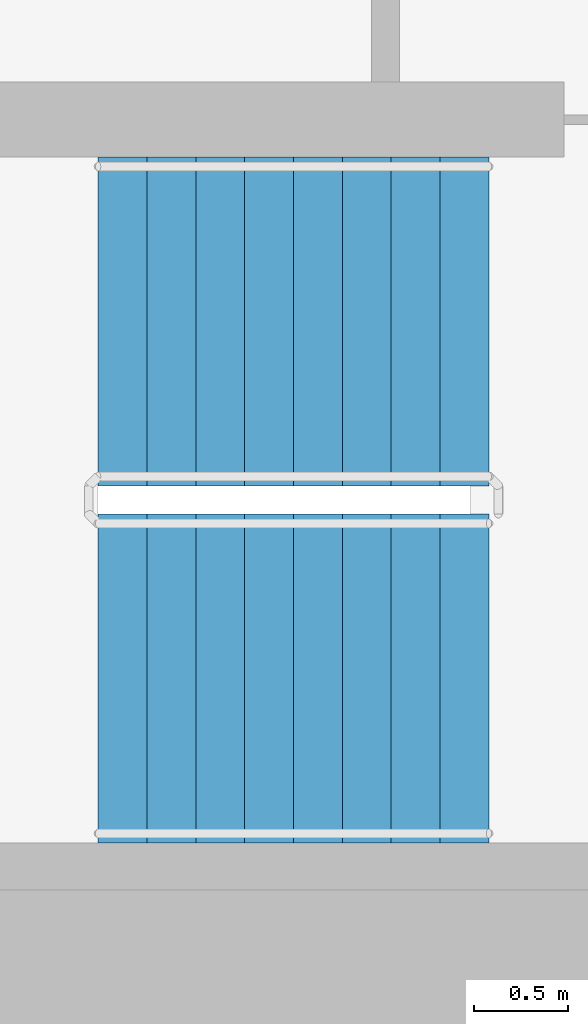
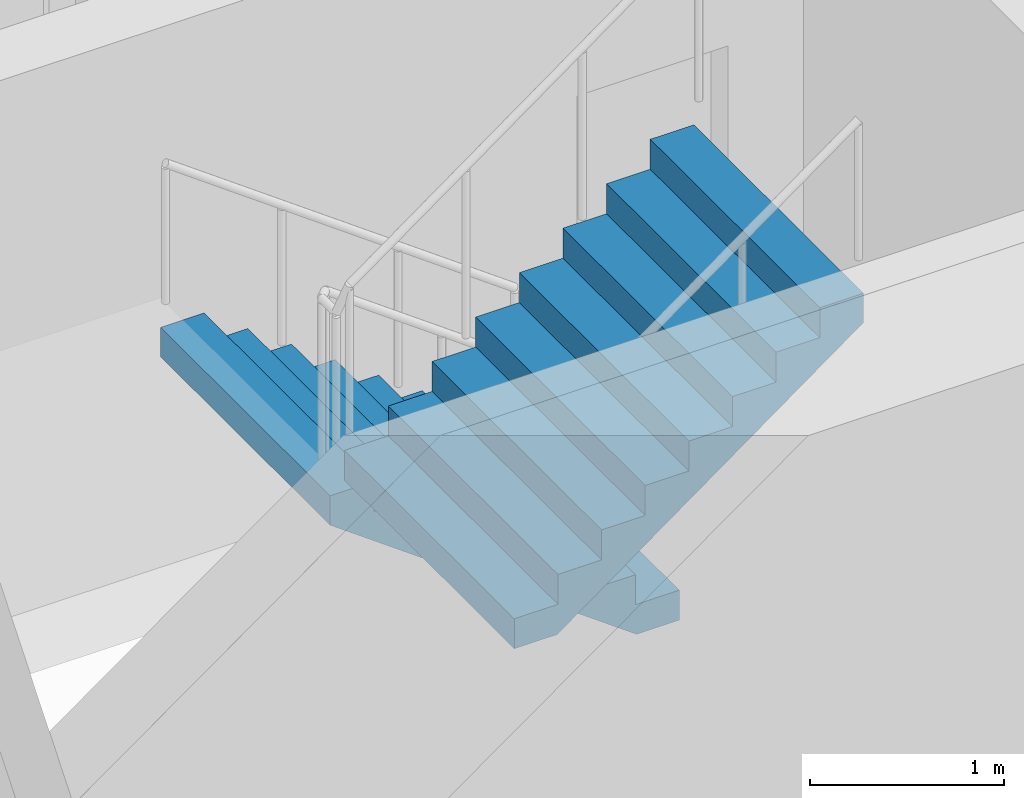
# One storey, part 15 of 21: 2 stair flights, 1 element without a shape of its own.
"""IFC4 building model written with IfcOpenShell, lengths in metres."""

from ifc_helpers import new_model, si_unit, direction, frame, origin, place, context, subcontext, project, spatial, faceted_brep, material, type_object, element, aggregate, save


model = new_model("IFC4")

# Units and contexts
model_context = context("Model", 3, precision=1e-05, world=origin(), true_north=direction((0.0, 1.0)))
body_context = subcontext(model_context, "Body", "Model", "MODEL_VIEW")
ifc_project = project(units=[si_unit("LENGTHUNIT", "METRE"), si_unit("AREAUNIT", "SQUARE_METRE"), si_unit("VOLUMEUNIT", "CUBIC_METRE"), si_unit("PLANEANGLEUNIT", "RADIAN"), si_unit("MASSUNIT", "GRAM", prefix="KILO")], contexts=[model_context])

# Site, building, storey
site_placement = place(None, origin())
site = spatial("IfcSite", under=ifc_project, at=site_placement, CompositionType="ELEMENT")
building_placement = place(site_placement, origin())
building = spatial("IfcBuilding", under=site, at=building_placement, Name="Ipe Terrace Towers", CompositionType="ELEMENT")
storey_placement = place(building_placement, frame((0.0, 0.0, 103.800048828125)))
storey = spatial("IfcBuildingStorey", under=building, at=storey_placement, Name="L28", CompositionType="ELEMENT", Elevation=103.800048828125)

# Stair, stair flights
ifc_material_1 = material(Name="Concrete C30/37", Category="concrete")
stair_type = type_object("IfcStairType", Name="Protected exit stair", PredefinedType="HALF_TURN_STAIR", material=ifc_material_1)
stair_placement = place(storey_placement, origin())
stair = element("IfcStair", 1, at=stair_placement, inside=storey, type_object=stair_type, Name="L28 Exit stair T1-C2", PredefinedType="HALF_TURN_STAIR")
ifc_material_2 = material(Name="Concrete C30/37", Category="concrete")
stair_flight_type = type_object("IfcStairFlightType", Name="Exit stair flight 1750", PredefinedType="STRAIGHT", material=ifc_material_2)
stair_flight_1_placement = place(storey_placement, frame((-45.699951171875, -2.77490234375, 0.0), z_axis=(0.0, 0.0, 1.0), x_axis=(-1.0, 0.0, 0.0)))
stair_flight_1 = element("IfcStairFlight", 2, at=stair_flight_1_placement, type_object=stair_flight_type, Name="T1-ST2 flight 1", NumberOfRisers=9, NumberOfTreads=8, PredefinedType="STRAIGHT", RiserHeight=0.188888889, TreadLength=0.26, context=body_context, shape_type="Brep", body=[
    faceted_brep([(0.255126953125, -0.875, 0.0), (2.080078125, -0.875, 1.325927734375), (2.080078125, -0.875, 1.51123046875), (1.820068359375, -0.875, 1.51123046875), (1.820068359375, -0.875, 1.322265625), (1.56005859375, -0.875, 1.322265625), (1.56005859375, -0.875, 1.13330078125), (1.300048828125, -0.875, 1.13330078125), (1.300048828125, -0.875, 0.9443359375), (1.0400390625, -0.875, 0.9443359375), (1.0400390625, -0.875, 0.755615234375), (0.780029296875, -0.875, 0.755615234375), (0.780029296875, -0.875, 0.566650390625), (0.52001953125, -0.875, 0.566650390625), (0.52001953125, -0.875, 0.377685546875), (0.260009765625, -0.875, 0.377685546875), (0.260009765625, -0.875, 0.18896484375), (0.0, -0.875, 0.18896484375), (0.0, -0.875, 0.0), (0.0, 0.875, 0.0), (0.0, 0.875, 0.18896484375), (0.260009765625, 0.875, 0.18896484375), (0.260009765625, 0.875, 0.377685546875), (0.52001953125, 0.875, 0.377685546875), (0.52001953125, 0.875, 0.566650390625), (0.780029296875, 0.875, 0.566650390625), (0.780029296875, 0.875, 0.755615234375), (1.0400390625, 0.875, 0.755615234375), (1.0400390625, 0.875, 0.9443359375), (1.300048828125, 0.875, 0.9443359375), (1.300048828125, 0.875, 1.13330078125), (1.56005859375, 0.875, 1.13330078125), (1.56005859375, 0.875, 1.322265625), (1.820068359375, 0.875, 1.322265625), (1.820068359375, 0.875, 1.51123046875), (2.080078125, 0.875, 1.51123046875), (2.080078125, 0.875, 1.325927734375), (0.255126953125, 0.875, 0.0), (0.0, -0.300048828125, 0.18896484375), (0.0, -0.1201171875, 0.18896484375), (0.0, -0.06005859375, 0.18896484375), (0.0, -0.030029296875, 0.18896484375), (0.0, -0.010009765625, 0.18896484375), (0.0, 0.0, 0.18896484375), (0.0, 0.010009765625, 0.18896484375), (0.0, 0.030029296875, 0.18896484375), (0.0, 0.06005859375, 0.18896484375), (0.0, 0.1201171875, 0.18896484375), (0.0, 0.300048828125, 0.18896484375), (0.0, 0.300048828125, 0.0), (0.0, 0.1201171875, 0.0), (0.0, 0.06005859375, 0.0), (0.0, 0.030029296875, 0.0), (0.0, 0.010009765625, 0.0), (0.0, 0.0, 0.0), (0.0, -0.010009765625, 0.0), (0.0, -0.030029296875, 0.0), (0.0, -0.06005859375, 0.0), (0.0, -0.1201171875, 0.0), (0.0, -0.300048828125, 0.0), (0.260009765625, -0.300048828125, 0.18896484375), (0.260009765625, -0.1201171875, 0.18896484375), (0.260009765625, -0.06005859375, 0.18896484375), (0.260009765625, -0.030029296875, 0.18896484375), (0.260009765625, -0.010009765625, 0.18896484375), (0.260009765625, 0.0, 0.18896484375), (0.260009765625, 0.010009765625, 0.18896484375), (0.260009765625, 0.030029296875, 0.18896484375), (0.260009765625, 0.06005859375, 0.18896484375), (0.260009765625, 0.1201171875, 0.18896484375), (0.260009765625, 0.300048828125, 0.18896484375), (0.260009765625, -0.300048828125, 0.377685546875), (0.260009765625, -0.1201171875, 0.377685546875), (0.260009765625, -0.06005859375, 0.377685546875), (0.260009765625, -0.030029296875, 0.377685546875), (0.260009765625, -0.010009765625, 0.377685546875), (0.260009765625, 0.0, 0.377685546875), (0.260009765625, 0.010009765625, 0.377685546875), (0.260009765625, 0.030029296875, 0.377685546875), (0.260009765625, 0.06005859375, 0.377685546875), (0.260009765625, 0.1201171875, 0.377685546875), (0.260009765625, 0.300048828125, 0.377685546875), (0.52001953125, -0.300048828125, 0.377685546875), (0.52001953125, -0.1201171875, 0.377685546875), (0.52001953125, -0.06005859375, 0.377685546875), (0.52001953125, -0.030029296875, 0.377685546875), (0.52001953125, -0.010009765625, 0.377685546875), (0.52001953125, 0.0, 0.377685546875), (0.52001953125, 0.010009765625, 0.377685546875), (0.52001953125, 0.030029296875, 0.377685546875), (0.52001953125, 0.06005859375, 0.377685546875), (0.52001953125, 0.1201171875, 0.377685546875), (0.52001953125, 0.300048828125, 0.377685546875), (0.52001953125, -0.300048828125, 0.566650390625), (0.52001953125, -0.1201171875, 0.566650390625), (0.52001953125, -0.06005859375, 0.566650390625), (0.52001953125, -0.030029296875, 0.566650390625), (0.52001953125, -0.010009765625, 0.566650390625), (0.52001953125, 0.0, 0.566650390625), (0.52001953125, 0.010009765625, 0.566650390625), (0.52001953125, 0.030029296875, 0.566650390625), (0.52001953125, 0.06005859375, 0.566650390625), (0.52001953125, 0.1201171875, 0.566650390625), (0.52001953125, 0.300048828125, 0.566650390625), (0.780029296875, -0.300048828125, 0.566650390625), (0.780029296875, -0.1201171875, 0.566650390625), (0.780029296875, -0.06005859375, 0.566650390625), (0.780029296875, -0.030029296875, 0.566650390625), (0.780029296875, -0.010009765625, 0.566650390625), (0.780029296875, 0.0, 0.566650390625), (0.780029296875, 0.010009765625, 0.566650390625), (0.780029296875, 0.030029296875, 0.566650390625), (0.780029296875, 0.06005859375, 0.566650390625), (0.780029296875, 0.1201171875, 0.566650390625), (0.780029296875, 0.300048828125, 0.566650390625), (0.780029296875, -0.300048828125, 0.755615234375), (0.780029296875, -0.1201171875, 0.755615234375), (0.780029296875, -0.06005859375, 0.755615234375), (0.780029296875, -0.030029296875, 0.755615234375), (0.780029296875, -0.010009765625, 0.755615234375), (0.780029296875, 0.0, 0.755615234375), (0.780029296875, 0.010009765625, 0.755615234375), (0.780029296875, 0.030029296875, 0.755615234375), (0.780029296875, 0.06005859375, 0.755615234375), (0.780029296875, 0.1201171875, 0.755615234375), (0.780029296875, 0.300048828125, 0.755615234375), (1.0400390625, -0.300048828125, 0.755615234375), (1.0400390625, -0.1201171875, 0.755615234375), (1.0400390625, -0.06005859375, 0.755615234375), (1.0400390625, -0.030029296875, 0.755615234375), (1.0400390625, -0.010009765625, 0.755615234375), (1.0400390625, 0.0, 0.755615234375), (1.0400390625, 0.010009765625, 0.755615234375), (1.0400390625, 0.030029296875, 0.755615234375), (1.0400390625, 0.06005859375, 0.755615234375), (1.0400390625, 0.1201171875, 0.755615234375), (1.0400390625, 0.300048828125, 0.755615234375), (1.0400390625, -0.300048828125, 0.9443359375), (1.0400390625, -0.1201171875, 0.9443359375), (1.0400390625, -0.06005859375, 0.9443359375), (1.0400390625, -0.030029296875, 0.9443359375), (1.0400390625, -0.010009765625, 0.9443359375), (1.0400390625, 0.0, 0.9443359375), (1.0400390625, 0.010009765625, 0.9443359375), (1.0400390625, 0.030029296875, 0.9443359375), (1.0400390625, 0.06005859375, 0.9443359375), (1.0400390625, 0.1201171875, 0.9443359375), (1.0400390625, 0.300048828125, 0.9443359375), (1.300048828125, -0.300048828125, 0.9443359375), (1.300048828125, -0.1201171875, 0.9443359375), (1.300048828125, -0.06005859375, 0.9443359375), (1.300048828125, -0.030029296875, 0.9443359375), (1.300048828125, -0.010009765625, 0.9443359375), (1.300048828125, 0.0, 0.9443359375), (1.300048828125, 0.010009765625, 0.9443359375), (1.300048828125, 0.030029296875, 0.9443359375), (1.300048828125, 0.06005859375, 0.9443359375), (1.300048828125, 0.1201171875, 0.9443359375), (1.300048828125, 0.300048828125, 0.9443359375), (1.300048828125, -0.300048828125, 1.13330078125), (1.300048828125, -0.1201171875, 1.13330078125), (1.300048828125, -0.06005859375, 1.13330078125), (1.300048828125, -0.030029296875, 1.13330078125), (1.300048828125, -0.010009765625, 1.13330078125), (1.300048828125, 0.0, 1.13330078125), (1.300048828125, 0.010009765625, 1.13330078125), (1.300048828125, 0.030029296875, 1.13330078125), (1.300048828125, 0.06005859375, 1.13330078125), (1.300048828125, 0.1201171875, 1.13330078125), (1.300048828125, 0.300048828125, 1.13330078125), (1.56005859375, -0.300048828125, 1.13330078125), (1.56005859375, -0.1201171875, 1.13330078125), (1.56005859375, -0.06005859375, 1.13330078125), (1.56005859375, -0.030029296875, 1.13330078125), (1.56005859375, -0.010009765625, 1.13330078125), (1.56005859375, 0.0, 1.13330078125), (1.56005859375, 0.010009765625, 1.13330078125), (1.56005859375, 0.030029296875, 1.13330078125), (1.56005859375, 0.06005859375, 1.13330078125), (1.56005859375, 0.1201171875, 1.13330078125), (1.56005859375, 0.300048828125, 1.13330078125), (1.56005859375, -0.300048828125, 1.322265625), (1.56005859375, -0.1201171875, 1.322265625), (1.56005859375, -0.06005859375, 1.322265625), (1.56005859375, -0.030029296875, 1.322265625), (1.56005859375, -0.010009765625, 1.322265625), (1.56005859375, 0.0, 1.322265625), (1.56005859375, 0.010009765625, 1.322265625), (1.56005859375, 0.030029296875, 1.322265625), (1.56005859375, 0.06005859375, 1.322265625), (1.56005859375, 0.1201171875, 1.322265625), (1.56005859375, 0.300048828125, 1.322265625), (1.820068359375, -0.300048828125, 1.322265625), (1.820068359375, -0.1201171875, 1.322265625), (1.820068359375, -0.06005859375, 1.322265625), (1.820068359375, -0.030029296875, 1.322265625), (1.820068359375, -0.010009765625, 1.322265625), (1.820068359375, 0.0, 1.322265625), (1.820068359375, 0.010009765625, 1.322265625), (1.820068359375, 0.030029296875, 1.322265625), (1.820068359375, 0.06005859375, 1.322265625), (1.820068359375, 0.1201171875, 1.322265625), (1.820068359375, 0.300048828125, 1.322265625), (1.820068359375, -0.300048828125, 1.51123046875), (1.820068359375, -0.1201171875, 1.51123046875), (1.820068359375, -0.06005859375, 1.51123046875), (1.820068359375, -0.030029296875, 1.51123046875), (1.820068359375, -0.010009765625, 1.51123046875), (1.820068359375, 0.0, 1.51123046875), (1.820068359375, 0.010009765625, 1.51123046875), (1.820068359375, 0.030029296875, 1.51123046875), (1.820068359375, 0.06005859375, 1.51123046875), (1.820068359375, 0.1201171875, 1.51123046875), (1.820068359375, 0.300048828125, 1.51123046875), (2.080078125, -0.300048828125, 1.51123046875), (2.080078125, -0.1201171875, 1.51123046875), (2.080078125, -0.06005859375, 1.51123046875), (2.080078125, -0.030029296875, 1.51123046875), (2.080078125, -0.010009765625, 1.51123046875), (2.080078125, 0.0, 1.51123046875), (2.080078125, 0.010009765625, 1.51123046875), (2.080078125, 0.030029296875, 1.51123046875), (2.080078125, 0.06005859375, 1.51123046875), (2.080078125, 0.1201171875, 1.51123046875), (2.080078125, 0.300048828125, 1.51123046875), (2.080078125, -0.300048828125, 1.325927734375), (2.080078125, -0.1201171875, 1.325927734375), (2.080078125, -0.06005859375, 1.325927734375), (2.080078125, -0.030029296875, 1.325927734375), (2.080078125, -0.010009765625, 1.325927734375), (2.080078125, 0.0, 1.325927734375), (2.080078125, 0.010009765625, 1.325927734375), (2.080078125, 0.030029296875, 1.325927734375), (2.080078125, 0.06005859375, 1.325927734375), (2.080078125, 0.1201171875, 1.325927734375), (2.080078125, 0.300048828125, 1.325927734375), (0.255126953125, -0.300048828125, 0.0), (0.255126953125, -0.1201171875, 0.0), (0.255126953125, -0.06005859375, 0.0), (0.255126953125, -0.030029296875, 0.0), (0.255126953125, -0.010009765625, 0.0), (0.255126953125, 0.0, 0.0), (0.255126953125, 0.010009765625, 0.0), (0.255126953125, 0.030029296875, 0.0), (0.255126953125, 0.06005859375, 0.0), (0.255126953125, 0.1201171875, 0.0), (0.255126953125, 0.300048828125, 0.0)], [[[0, 1, 2, 3, 4, 5, 6, 7, 8, 9, 10, 11, 12, 13, 14, 15, 16, 17, 18]], [[19, 20, 21, 22, 23, 24, 25, 26, 27, 28, 29, 30, 31, 32, 33, 34, 35, 36, 37]], [[17, 38, 39, 40, 41, 42, 43, 44, 45, 46, 47, 48, 20, 19, 49, 50, 51, 52, 53, 54, 55, 56, 57, 58, 59, 18]], [[16, 60, 61, 62, 63, 64, 65, 66, 67, 68, 69, 70, 21, 20, 48, 47, 46, 45, 44, 43, 42, 41, 40, 39, 38, 17]], [[15, 71, 72, 73, 74, 75, 76, 77, 78, 79, 80, 81, 22, 21, 70, 69, 68, 67, 66, 65, 64, 63, 62, 61, 60, 16]], [[14, 82, 83, 84, 85, 86, 87, 88, 89, 90, 91, 92, 23, 22, 81, 80, 79, 78, 77, 76, 75, 74, 73, 72, 71, 15]], [[13, 93, 94, 95, 96, 97, 98, 99, 100, 101, 102, 103, 24, 23, 92, 91, 90, 89, 88, 87, 86, 85, 84, 83, 82, 14]], [[12, 104, 105, 106, 107, 108, 109, 110, 111, 112, 113, 114, 25, 24, 103, 102, 101, 100, 99, 98, 97, 96, 95, 94, 93, 13]], [[11, 115, 116, 117, 118, 119, 120, 121, 122, 123, 124, 125, 26, 25, 114, 113, 112, 111, 110, 109, 108, 107, 106, 105, 104, 12]], [[10, 126, 127, 128, 129, 130, 131, 132, 133, 134, 135, 136, 27, 26, 125, 124, 123, 122, 121, 120, 119, 118, 117, 116, 115, 11]], [[9, 137, 138, 139, 140, 141, 142, 143, 144, 145, 146, 147, 28, 27, 136, 135, 134, 133, 132, 131, 130, 129, 128, 127, 126, 10]], [[8, 148, 149, 150, 151, 152, 153, 154, 155, 156, 157, 158, 29, 28, 147, 146, 145, 144, 143, 142, 141, 140, 139, 138, 137, 9]], [[7, 159, 160, 161, 162, 163, 164, 165, 166, 167, 168, 169, 30, 29, 158, 157, 156, 155, 154, 153, 152, 151, 150, 149, 148, 8]], [[6, 170, 171, 172, 173, 174, 175, 176, 177, 178, 179, 180, 31, 30, 169, 168, 167, 166, 165, 164, 163, 162, 161, 160, 159, 7]], [[5, 181, 182, 183, 184, 185, 186, 187, 188, 189, 190, 191, 32, 31, 180, 179, 178, 177, 176, 175, 174, 173, 172, 171, 170, 6]], [[4, 192, 193, 194, 195, 196, 197, 198, 199, 200, 201, 202, 33, 32, 191, 190, 189, 188, 187, 186, 185, 184, 183, 182, 181, 5]], [[3, 203, 204, 205, 206, 207, 208, 209, 210, 211, 212, 213, 34, 33, 202, 201, 200, 199, 198, 197, 196, 195, 194, 193, 192, 4]], [[2, 214, 215, 216, 217, 218, 219, 220, 221, 222, 223, 224, 35, 34, 213, 212, 211, 210, 209, 208, 207, 206, 205, 204, 203, 3]], [[1, 225, 226, 227, 228, 229, 230, 231, 232, 233, 234, 235, 36, 35, 224, 223, 222, 221, 220, 219, 218, 217, 216, 215, 214, 2]], [[0, 236, 237, 238, 239, 240, 241, 242, 243, 244, 245, 246, 37, 36, 235, 234, 233, 232, 231, 230, 229, 228, 227, 226, 225, 1]], [[18, 59, 58, 57, 56, 55, 54, 53, 52, 51, 50, 49, 19, 37, 246, 245, 244, 243, 242, 241, 240, 239, 238, 237, 236, 0]]]),
])
stair_flight_2_placement = place(storey_placement, frame((-47.780029296875, -4.675048828125, 1.699951171875), z_axis=(0.0, 0.0, 1.0), x_axis=(1.0, 0.0, 0.0)))
stair_flight_2 = element("IfcStairFlight", 3, at=stair_flight_2_placement, type_object=stair_flight_type, Name="T1-ST2 flight 2", NumberOfRisers=9, NumberOfTreads=8, PredefinedType="STRAIGHT", RiserHeight=0.188888889, TreadLength=0.26, context=body_context, shape_type="Brep", body=[
    faceted_brep([(0.255126953125, -0.875, 0.0), (2.080078125, -0.875, 1.325927734375), (2.080078125, -0.875, 1.51123046875), (1.820068359375, -0.875, 1.51123046875), (1.820068359375, -0.875, 1.322265625), (1.56005859375, -0.875, 1.322265625), (1.56005859375, -0.875, 1.13330078125), (1.300048828125, -0.875, 1.13330078125), (1.300048828125, -0.875, 0.9443359375), (1.0400390625, -0.875, 0.9443359375), (1.0400390625, -0.875, 0.755615234375), (0.780029296875, -0.875, 0.755615234375), (0.780029296875, -0.875, 0.566650390625), (0.52001953125, -0.875, 0.566650390625), (0.52001953125, -0.875, 0.377685546875), (0.260009765625, -0.875, 0.377685546875), (0.260009765625, -0.875, 0.18896484375), (0.0, -0.875, 0.18896484375), (0.0, -0.875, 0.0), (0.0, 0.875, 0.0), (0.0, 0.875, 0.18896484375), (0.260009765625, 0.875, 0.18896484375), (0.260009765625, 0.875, 0.377685546875), (0.52001953125, 0.875, 0.377685546875), (0.52001953125, 0.875, 0.566650390625), (0.780029296875, 0.875, 0.566650390625), (0.780029296875, 0.875, 0.755615234375), (1.0400390625, 0.875, 0.755615234375), (1.0400390625, 0.875, 0.9443359375), (1.300048828125, 0.875, 0.9443359375), (1.300048828125, 0.875, 1.13330078125), (1.56005859375, 0.875, 1.13330078125), (1.56005859375, 0.875, 1.322265625), (1.820068359375, 0.875, 1.322265625), (1.820068359375, 0.875, 1.51123046875), (2.080078125, 0.875, 1.51123046875), (2.080078125, 0.875, 1.325927734375), (0.255126953125, 0.875, 0.0), (0.0, -0.300048828125, 0.18896484375), (0.0, -0.1201171875, 0.18896484375), (0.0, -0.06005859375, 0.18896484375), (0.0, -0.030029296875, 0.18896484375), (0.0, -0.010009765625, 0.18896484375), (0.0, 0.0, 0.18896484375), (0.0, 0.010009765625, 0.18896484375), (0.0, 0.030029296875, 0.18896484375), (0.0, 0.06005859375, 0.18896484375), (0.0, 0.1201171875, 0.18896484375), (0.0, 0.300048828125, 0.18896484375), (0.0, 0.300048828125, 0.0), (0.0, 0.1201171875, 0.0), (0.0, 0.06005859375, 0.0), (0.0, 0.030029296875, 0.0), (0.0, 0.010009765625, 0.0), (0.0, 0.0, 0.0), (0.0, -0.010009765625, 0.0), (0.0, -0.030029296875, 0.0), (0.0, -0.06005859375, 0.0), (0.0, -0.1201171875, 0.0), (0.0, -0.300048828125, 0.0), (0.260009765625, -0.300048828125, 0.18896484375), (0.260009765625, -0.1201171875, 0.18896484375), (0.260009765625, -0.06005859375, 0.18896484375), (0.260009765625, -0.030029296875, 0.18896484375), (0.260009765625, -0.010009765625, 0.18896484375), (0.260009765625, 0.0, 0.18896484375), (0.260009765625, 0.010009765625, 0.18896484375), (0.260009765625, 0.030029296875, 0.18896484375), (0.260009765625, 0.06005859375, 0.18896484375), (0.260009765625, 0.1201171875, 0.18896484375), (0.260009765625, 0.300048828125, 0.18896484375), (0.260009765625, -0.300048828125, 0.377685546875), (0.260009765625, -0.1201171875, 0.377685546875), (0.260009765625, -0.06005859375, 0.377685546875), (0.260009765625, -0.030029296875, 0.377685546875), (0.260009765625, -0.010009765625, 0.377685546875), (0.260009765625, 0.0, 0.377685546875), (0.260009765625, 0.010009765625, 0.377685546875), (0.260009765625, 0.030029296875, 0.377685546875), (0.260009765625, 0.06005859375, 0.377685546875), (0.260009765625, 0.1201171875, 0.377685546875), (0.260009765625, 0.300048828125, 0.377685546875), (0.52001953125, -0.300048828125, 0.377685546875), (0.52001953125, -0.1201171875, 0.377685546875), (0.52001953125, -0.06005859375, 0.377685546875), (0.52001953125, -0.030029296875, 0.377685546875), (0.52001953125, -0.010009765625, 0.377685546875), (0.52001953125, 0.0, 0.377685546875), (0.52001953125, 0.010009765625, 0.377685546875), (0.52001953125, 0.030029296875, 0.377685546875), (0.52001953125, 0.06005859375, 0.377685546875), (0.52001953125, 0.1201171875, 0.377685546875), (0.52001953125, 0.300048828125, 0.377685546875), (0.52001953125, -0.300048828125, 0.566650390625), (0.52001953125, -0.1201171875, 0.566650390625), (0.52001953125, -0.06005859375, 0.566650390625), (0.52001953125, -0.030029296875, 0.566650390625), (0.52001953125, -0.010009765625, 0.566650390625), (0.52001953125, 0.0, 0.566650390625), (0.52001953125, 0.010009765625, 0.566650390625), (0.52001953125, 0.030029296875, 0.566650390625), (0.52001953125, 0.06005859375, 0.566650390625), (0.52001953125, 0.1201171875, 0.566650390625), (0.52001953125, 0.300048828125, 0.566650390625), (0.780029296875, -0.300048828125, 0.566650390625), (0.780029296875, -0.1201171875, 0.566650390625), (0.780029296875, -0.06005859375, 0.566650390625), (0.780029296875, -0.030029296875, 0.566650390625), (0.780029296875, -0.010009765625, 0.566650390625), (0.780029296875, 0.0, 0.566650390625), (0.780029296875, 0.010009765625, 0.566650390625), (0.780029296875, 0.030029296875, 0.566650390625), (0.780029296875, 0.06005859375, 0.566650390625), (0.780029296875, 0.1201171875, 0.566650390625), (0.780029296875, 0.300048828125, 0.566650390625), (0.780029296875, -0.300048828125, 0.755615234375), (0.780029296875, -0.1201171875, 0.755615234375), (0.780029296875, -0.06005859375, 0.755615234375), (0.780029296875, -0.030029296875, 0.755615234375), (0.780029296875, -0.010009765625, 0.755615234375), (0.780029296875, 0.0, 0.755615234375), (0.780029296875, 0.010009765625, 0.755615234375), (0.780029296875, 0.030029296875, 0.755615234375), (0.780029296875, 0.06005859375, 0.755615234375), (0.780029296875, 0.1201171875, 0.755615234375), (0.780029296875, 0.300048828125, 0.755615234375), (1.0400390625, -0.300048828125, 0.755615234375), (1.0400390625, -0.1201171875, 0.755615234375), (1.0400390625, -0.06005859375, 0.755615234375), (1.0400390625, -0.030029296875, 0.755615234375), (1.0400390625, -0.010009765625, 0.755615234375), (1.0400390625, 0.0, 0.755615234375), (1.0400390625, 0.010009765625, 0.755615234375), (1.0400390625, 0.030029296875, 0.755615234375), (1.0400390625, 0.06005859375, 0.755615234375), (1.0400390625, 0.1201171875, 0.755615234375), (1.0400390625, 0.300048828125, 0.755615234375), (1.0400390625, -0.300048828125, 0.9443359375), (1.0400390625, -0.1201171875, 0.9443359375), (1.0400390625, -0.06005859375, 0.9443359375), (1.0400390625, -0.030029296875, 0.9443359375), (1.0400390625, -0.010009765625, 0.9443359375), (1.0400390625, 0.0, 0.9443359375), (1.0400390625, 0.010009765625, 0.9443359375), (1.0400390625, 0.030029296875, 0.9443359375), (1.0400390625, 0.06005859375, 0.9443359375), (1.0400390625, 0.1201171875, 0.9443359375), (1.0400390625, 0.300048828125, 0.9443359375), (1.300048828125, -0.300048828125, 0.9443359375), (1.300048828125, -0.1201171875, 0.9443359375), (1.300048828125, -0.06005859375, 0.9443359375), (1.300048828125, -0.030029296875, 0.9443359375), (1.300048828125, -0.010009765625, 0.9443359375), (1.300048828125, 0.0, 0.9443359375), (1.300048828125, 0.010009765625, 0.9443359375), (1.300048828125, 0.030029296875, 0.9443359375), (1.300048828125, 0.06005859375, 0.9443359375), (1.300048828125, 0.1201171875, 0.9443359375), (1.300048828125, 0.300048828125, 0.9443359375), (1.300048828125, -0.300048828125, 1.13330078125), (1.300048828125, -0.1201171875, 1.13330078125), (1.300048828125, -0.06005859375, 1.13330078125), (1.300048828125, -0.030029296875, 1.13330078125), (1.300048828125, -0.010009765625, 1.13330078125), (1.300048828125, 0.0, 1.13330078125), (1.300048828125, 0.010009765625, 1.13330078125), (1.300048828125, 0.030029296875, 1.13330078125), (1.300048828125, 0.06005859375, 1.13330078125), (1.300048828125, 0.1201171875, 1.13330078125), (1.300048828125, 0.300048828125, 1.13330078125), (1.56005859375, -0.300048828125, 1.13330078125), (1.56005859375, -0.1201171875, 1.13330078125), (1.56005859375, -0.06005859375, 1.13330078125), (1.56005859375, -0.030029296875, 1.13330078125), (1.56005859375, -0.010009765625, 1.13330078125), (1.56005859375, 0.0, 1.13330078125), (1.56005859375, 0.010009765625, 1.13330078125), (1.56005859375, 0.030029296875, 1.13330078125), (1.56005859375, 0.06005859375, 1.13330078125), (1.56005859375, 0.1201171875, 1.13330078125), (1.56005859375, 0.300048828125, 1.13330078125), (1.56005859375, -0.300048828125, 1.322265625), (1.56005859375, -0.1201171875, 1.322265625), (1.56005859375, -0.06005859375, 1.322265625), (1.56005859375, -0.030029296875, 1.322265625), (1.56005859375, -0.010009765625, 1.322265625), (1.56005859375, 0.0, 1.322265625), (1.56005859375, 0.010009765625, 1.322265625), (1.56005859375, 0.030029296875, 1.322265625), (1.56005859375, 0.06005859375, 1.322265625), (1.56005859375, 0.1201171875, 1.322265625), (1.56005859375, 0.300048828125, 1.322265625), (1.820068359375, -0.300048828125, 1.322265625), (1.820068359375, -0.1201171875, 1.322265625), (1.820068359375, -0.06005859375, 1.322265625), (1.820068359375, -0.030029296875, 1.322265625), (1.820068359375, -0.010009765625, 1.322265625), (1.820068359375, 0.0, 1.322265625), (1.820068359375, 0.010009765625, 1.322265625), (1.820068359375, 0.030029296875, 1.322265625), (1.820068359375, 0.06005859375, 1.322265625), (1.820068359375, 0.1201171875, 1.322265625), (1.820068359375, 0.300048828125, 1.322265625), (1.820068359375, -0.300048828125, 1.51123046875), (1.820068359375, -0.1201171875, 1.51123046875), (1.820068359375, -0.06005859375, 1.51123046875), (1.820068359375, -0.030029296875, 1.51123046875), (1.820068359375, -0.010009765625, 1.51123046875), (1.820068359375, 0.0, 1.51123046875), (1.820068359375, 0.010009765625, 1.51123046875), (1.820068359375, 0.030029296875, 1.51123046875), (1.820068359375, 0.06005859375, 1.51123046875), (1.820068359375, 0.1201171875, 1.51123046875), (1.820068359375, 0.300048828125, 1.51123046875), (2.080078125, -0.300048828125, 1.51123046875), (2.080078125, -0.1201171875, 1.51123046875), (2.080078125, -0.06005859375, 1.51123046875), (2.080078125, -0.030029296875, 1.51123046875), (2.080078125, -0.010009765625, 1.51123046875), (2.080078125, 0.0, 1.51123046875), (2.080078125, 0.010009765625, 1.51123046875), (2.080078125, 0.030029296875, 1.51123046875), (2.080078125, 0.06005859375, 1.51123046875), (2.080078125, 0.1201171875, 1.51123046875), (2.080078125, 0.300048828125, 1.51123046875), (2.080078125, -0.300048828125, 1.325927734375), (2.080078125, -0.1201171875, 1.325927734375), (2.080078125, -0.06005859375, 1.325927734375), (2.080078125, -0.030029296875, 1.325927734375), (2.080078125, -0.010009765625, 1.325927734375), (2.080078125, 0.0, 1.325927734375), (2.080078125, 0.010009765625, 1.325927734375), (2.080078125, 0.030029296875, 1.325927734375), (2.080078125, 0.06005859375, 1.325927734375), (2.080078125, 0.1201171875, 1.325927734375), (2.080078125, 0.300048828125, 1.325927734375), (0.255126953125, -0.300048828125, 0.0), (0.255126953125, -0.1201171875, 0.0), (0.255126953125, -0.06005859375, 0.0), (0.255126953125, -0.030029296875, 0.0), (0.255126953125, -0.010009765625, 0.0), (0.255126953125, 0.0, 0.0), (0.255126953125, 0.010009765625, 0.0), (0.255126953125, 0.030029296875, 0.0), (0.255126953125, 0.06005859375, 0.0), (0.255126953125, 0.1201171875, 0.0), (0.255126953125, 0.300048828125, 0.0)], [[[0, 1, 2, 3, 4, 5, 6, 7, 8, 9, 10, 11, 12, 13, 14, 15, 16, 17, 18]], [[19, 20, 21, 22, 23, 24, 25, 26, 27, 28, 29, 30, 31, 32, 33, 34, 35, 36, 37]], [[17, 38, 39, 40, 41, 42, 43, 44, 45, 46, 47, 48, 20, 19, 49, 50, 51, 52, 53, 54, 55, 56, 57, 58, 59, 18]], [[16, 60, 61, 62, 63, 64, 65, 66, 67, 68, 69, 70, 21, 20, 48, 47, 46, 45, 44, 43, 42, 41, 40, 39, 38, 17]], [[15, 71, 72, 73, 74, 75, 76, 77, 78, 79, 80, 81, 22, 21, 70, 69, 68, 67, 66, 65, 64, 63, 62, 61, 60, 16]], [[14, 82, 83, 84, 85, 86, 87, 88, 89, 90, 91, 92, 23, 22, 81, 80, 79, 78, 77, 76, 75, 74, 73, 72, 71, 15]], [[13, 93, 94, 95, 96, 97, 98, 99, 100, 101, 102, 103, 24, 23, 92, 91, 90, 89, 88, 87, 86, 85, 84, 83, 82, 14]], [[12, 104, 105, 106, 107, 108, 109, 110, 111, 112, 113, 114, 25, 24, 103, 102, 101, 100, 99, 98, 97, 96, 95, 94, 93, 13]], [[11, 115, 116, 117, 118, 119, 120, 121, 122, 123, 124, 125, 26, 25, 114, 113, 112, 111, 110, 109, 108, 107, 106, 105, 104, 12]], [[10, 126, 127, 128, 129, 130, 131, 132, 133, 134, 135, 136, 27, 26, 125, 124, 123, 122, 121, 120, 119, 118, 117, 116, 115, 11]], [[9, 137, 138, 139, 140, 141, 142, 143, 144, 145, 146, 147, 28, 27, 136, 135, 134, 133, 132, 131, 130, 129, 128, 127, 126, 10]], [[8, 148, 149, 150, 151, 152, 153, 154, 155, 156, 157, 158, 29, 28, 147, 146, 145, 144, 143, 142, 141, 140, 139, 138, 137, 9]], [[7, 159, 160, 161, 162, 163, 164, 165, 166, 167, 168, 169, 30, 29, 158, 157, 156, 155, 154, 153, 152, 151, 150, 149, 148, 8]], [[6, 170, 171, 172, 173, 174, 175, 176, 177, 178, 179, 180, 31, 30, 169, 168, 167, 166, 165, 164, 163, 162, 161, 160, 159, 7]], [[5, 181, 182, 183, 184, 185, 186, 187, 188, 189, 190, 191, 32, 31, 180, 179, 178, 177, 176, 175, 174, 173, 172, 171, 170, 6]], [[4, 192, 193, 194, 195, 196, 197, 198, 199, 200, 201, 202, 33, 32, 191, 190, 189, 188, 187, 186, 185, 184, 183, 182, 181, 5]], [[3, 203, 204, 205, 206, 207, 208, 209, 210, 211, 212, 213, 34, 33, 202, 201, 200, 199, 198, 197, 196, 195, 194, 193, 192, 4]], [[2, 214, 215, 216, 217, 218, 219, 220, 221, 222, 223, 224, 35, 34, 213, 212, 211, 210, 209, 208, 207, 206, 205, 204, 203, 3]], [[1, 225, 226, 227, 228, 229, 230, 231, 232, 233, 234, 235, 36, 35, 224, 223, 222, 221, 220, 219, 218, 217, 216, 215, 214, 2]], [[0, 236, 237, 238, 239, 240, 241, 242, 243, 244, 245, 246, 37, 36, 235, 234, 233, 232, 231, 230, 229, 228, 227, 226, 225, 1]], [[18, 59, 58, 57, 56, 55, 54, 53, 52, 51, 50, 49, 19, 37, 246, 245, 244, 243, 242, 241, 240, 239, 238, 237, 236, 0]]]),
])
aggregate(stair, [stair_flight_1, stair_flight_2])

save(model, "model.ifc")
